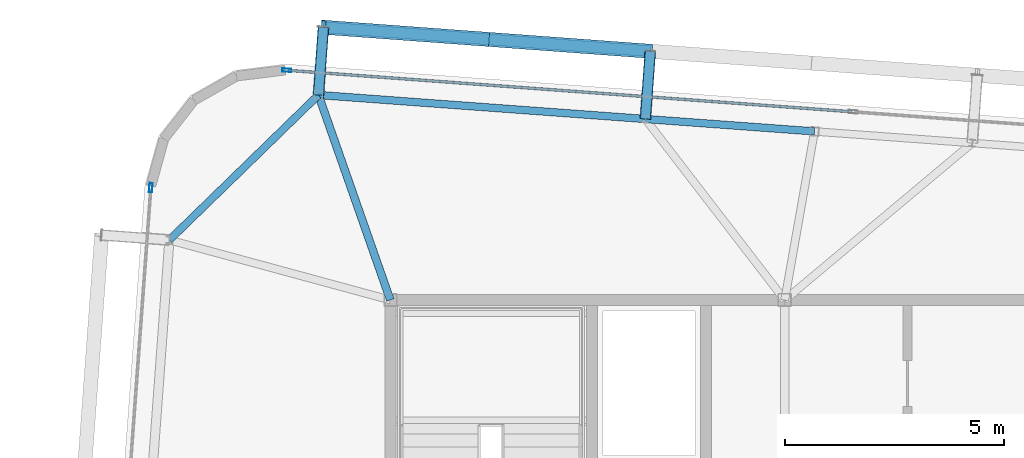
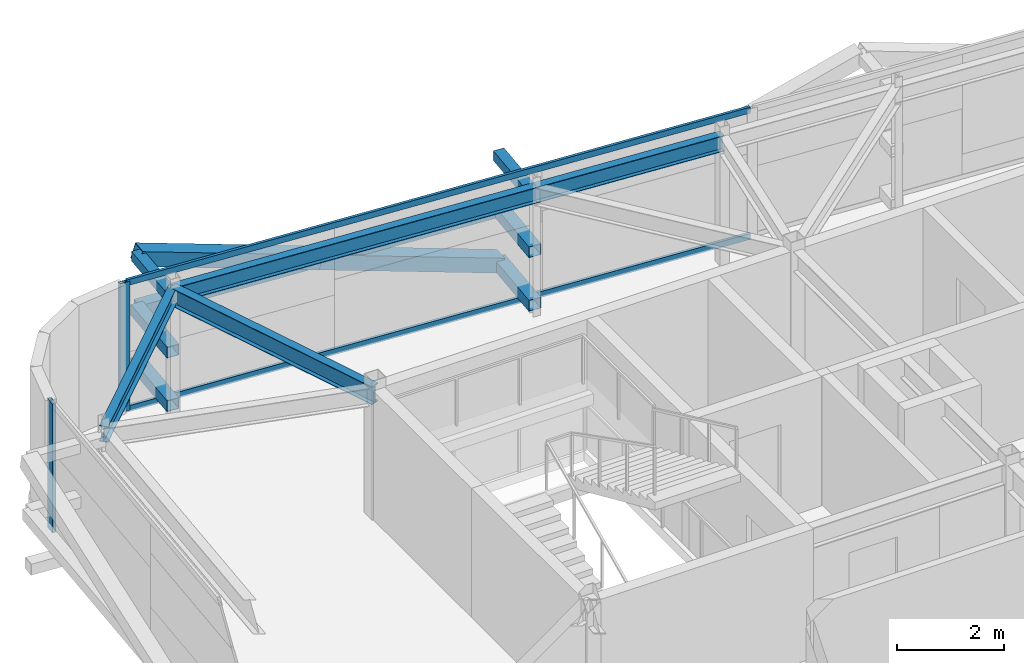
# One storey, part 20 of 34: 13 members, 4 beams, 2 elements without a shape of their own.
"""IFC4 building model written with IfcOpenShell, lengths in metres."""

from ifc_helpers import new_model, si_unit, direction, frame, origin, origin_2d, place, context, subcontext, project, spatial, hollow_rectangle, i_section, extrude, source, transform, mapped, material, layer, layer_set, material_profile, profile_set, type_object, element, aggregate, save


model = new_model("IFC4")

# Units and contexts
model_context = context("Model", 3, precision=1e-05, world=origin(), true_north=direction((0.0, 1.0)))
body_context = subcontext(model_context, "Body", "Model", "MODEL_VIEW")
ifc_project = project(units=[si_unit("LENGTHUNIT", "METRE"), si_unit("AREAUNIT", "SQUARE_METRE"), si_unit("VOLUMEUNIT", "CUBIC_METRE"), si_unit("PLANEANGLEUNIT", "RADIAN"), si_unit("MASSUNIT", "GRAM", prefix="KILO")], contexts=[model_context])

# Site, building, storey
site_placement = place(None, origin())
site = spatial("IfcSite", under=ifc_project, at=site_placement, CompositionType="ELEMENT")
building_placement = place(site_placement, origin())
building = spatial("IfcBuilding", under=site, at=building_placement, Name="Taldren Reach Tower", CompositionType="ELEMENT")
storey_placement = place(building_placement, frame((0.0, 0.0, 246.050048828125)))
storey = spatial("IfcBuildingStorey", under=building, at=storey_placement, Name="L75", CompositionType="ELEMENT", Elevation=246.050048828125)

# Members
ifc_material_1 = material(Name="Steel Gr 350 (C350L0)", Category="steel")
ifc_material_profile_1 = material_profile(ifc_material_1, hollow_rectangle(XDim=0.25, YDim=0.25, WallThickness=0.010009765625, at=origin_2d()), Name="250x250x10.0SHS")
ifc_profile_set_1 = profile_set([ifc_material_profile_1], Name="Steel Gr 350 (C350L0)")
member_type_1 = type_object("IfcMemberType", Name="MB-POST250", PredefinedType="POST", material=ifc_profile_set_1)
shared_shape_1 = source(origin(), body_context, "Body", "SweptSolid", [
    extrude(hollow_rectangle(XDim=0.25, YDim=0.25, WallThickness=0.010009765625, at=origin_2d()), origin(), (0.0, 0.0, 1.0), 1.5498046875),
])
for number, where, z_axis, x_axis, name in (
    (1, (17.35986328125, 36.678955078125, 0.219970703125), (0.073250797913, 0.997313551801, 0.0), (-0.997313551801, 0.073250797913, 0.0), "Exoskeleton base diaphragm tie strut B5-N1 L75"),
    (2, (17.35986328125, 36.678955078125, 1.43505859375), (0.073250797913, 0.997313551801, 0.0), (-0.997313551801, 0.073250797913, 0.0), "Exoskeleton mid-tier diaphragm tie B5-N1 L75"),
):
    element("IfcMember", number, at=place(storey_placement, frame(where, z_axis=z_axis, x_axis=x_axis)), inside=storey, type_object=member_type_1, Name=name, PredefinedType="POST", context=body_context, shape_type="MappedRepresentation", body=[
        mapped(shared_shape_1, transform((0.0, 0.0, 0.0), scale=1.0)),
    ])
shared_shape_2 = source(origin(), body_context, "Body", "SweptSolid", [
    extrude(hollow_rectangle(XDim=0.25, YDim=0.25, WallThickness=0.010009765625, at=origin_2d()), origin(), (0.0, 0.0, 1.0), 1.550048828125),
])
for number, where, z_axis, x_axis, name in (
    (3, (24.819580078125, 36.131103515625, 0.219970703125), (0.07323929162, 0.997314396849, 0.0), (-0.997314396849, 0.07323929162, 0.0), "Exoskeleton base diaphragm tie strut B5-N2 L75"),
    (4, (24.819580078125, 36.131103515625, 1.43505859375), (0.07323929162, 0.997314396849, 0.0), (-0.997314396849, 0.07323929162, 0.0), "Exoskeleton mid-tier diaphragm tie B5-N2 L75"),
):
    element("IfcMember", number, at=place(storey_placement, frame(where, z_axis=z_axis, x_axis=x_axis)), inside=storey, type_object=member_type_1, Name=name, PredefinedType="POST", context=body_context, shape_type="MappedRepresentation", body=[
        mapped(shared_shape_2, transform((0.0, 0.0, 0.0), scale=1.0)),
    ])
ifc_material_2 = material(Name="Steel Gr 450 (C450L0)", Category="steel")
ifc_material_profile_2 = material_profile(ifc_material_2, hollow_rectangle(XDim=0.219970703125, YDim=0.219970703125, WallThickness=0.00830078125, at=origin_2d()), Name="220x220x8.2SHS")
ifc_profile_set_2 = profile_set([ifc_material_profile_2], Name="Steel Gr 450 (C450L0)")
member_type_2 = type_object("IfcMemberType", Name="MB-TIE219", PredefinedType="STRUT", material=ifc_profile_set_2)
shared_shape_3 = source(origin(), body_context, "Body", "SweptSolid", [
    extrude(hollow_rectangle(XDim=0.219970703125, YDim=0.219970703125, WallThickness=0.00830078125, at=origin_2d()), origin(), (0.0, 0.0, 1.0), 1.5498046875),
])
member_1_placement = place(storey_placement, frame((17.35986328125, 36.678955078125, 2.64990234375), z_axis=(0.073250797913, 0.997313551801, 0.0), x_axis=(-0.997313551801, 0.073250797913, 0.0)))
element("IfcMember", 5, at=member_1_placement, inside=storey, type_object=member_type_2, Name="Exoskeleton diaphragm tie strut B5-N1 L75", PredefinedType="STRUT", context=body_context, shape_type="MappedRepresentation", body=[
    mapped(shared_shape_3, transform((0.0, 0.0, 0.0), scale=1.0)),
])
shared_shape_4 = source(origin(), body_context, "Body", "SweptSolid", [
    extrude(hollow_rectangle(XDim=0.219970703125, YDim=0.219970703125, WallThickness=0.00830078125, at=origin_2d()), origin(), (0.0, 0.0, 1.0), 1.550048828125),
])
member_2_placement = place(storey_placement, frame((24.819580078125, 36.131103515625, 2.64990234375), z_axis=(0.07323929162, 0.997314396849, 0.0), x_axis=(-0.997314396849, 0.07323929162, 0.0)))
element("IfcMember", 6, at=member_2_placement, inside=storey, type_object=member_type_2, Name="Exoskeleton diaphragm tie strut B5-N2 L75", PredefinedType="STRUT", context=body_context, shape_type="MappedRepresentation", body=[
    mapped(shared_shape_4, transform((0.0, 0.0, 0.0), scale=1.0)),
])

# Beams
ifc_material_3 = material(Name="Steel Gr 350 (350PLUS)", Category="steel")
ifc_material_profile_3 = material_profile(ifc_material_3, i_section(OverallWidth=0.172119140625, OverallDepth=0.35888671875, WebThickness=0.008056640625, FlangeThickness=0.012939453125, at=origin_2d()), Name="360UB56.7")
ifc_profile_set_3 = profile_set([ifc_material_profile_3], Name="Steel Gr 350 (350PLUS)")
beam_type_1 = type_object("IfcBeamType", Name="SP-UB360", PredefinedType="SPANDREL", material=ifc_profile_set_3)
shared_shape_5 = source(origin(), body_context, "Body", "SweptSolid", [
    extrude(i_section(OverallWidth=0.172119140625, OverallDepth=0.35888671875, WebThickness=0.008056640625, FlangeThickness=0.012939453125, at=origin_2d()), origin(), (0.0, 0.0, 1.0), 7.479736328125),
])
beam_1_placement = place(storey_placement, frame((24.819580078125, 36.131103515625, 2.75048828125), z_axis=(-0.997314045547, 0.073244075215, 0.0), x_axis=(-0.073244075215, -0.997314045547, 0.0)))
element("IfcBeam", 7, at=beam_1_placement, inside=storey, type_object=beam_type_1, Name="Perimeter spandrel B5 N2-N1 L75", PredefinedType="SPANDREL", context=body_context, shape_type="MappedRepresentation", body=[
    mapped(shared_shape_5, transform((0.0, 0.0, 0.0), scale=1.0)),
])
shared_shape_6 = source(origin(), body_context, "Body", "SweptSolid", [
    extrude(i_section(OverallWidth=0.172119140625, OverallDepth=0.35888671875, WebThickness=0.008056640625, FlangeThickness=0.012939453125, at=origin_2d()), origin(), (0.0, 0.0, 1.0), 4.74609375),
])
beam_2_placement = place(storey_placement, frame((17.35986328125, 36.678955078125, 2.75048828125), z_axis=(-0.716711338436, -0.697369957309, 0.0), x_axis=(0.697369957309, -0.716711338436, 0.0)))
element("IfcBeam", 8, at=beam_2_placement, inside=storey, type_object=beam_type_1, Name="Perimeter spandrel B5 N1-W3 L75", PredefinedType="SPANDREL", context=body_context, shape_type="MappedRepresentation", body=[
    mapped(shared_shape_6, transform((0.0, 0.0, 0.0), scale=1.0)),
])
shared_shape_7 = source(origin(), body_context, "Body", "SweptSolid", [
    extrude(i_section(OverallWidth=0.172119140625, OverallDepth=0.35888671875, WebThickness=0.008056640625, FlangeThickness=0.012939453125, at=origin_2d()), origin(), (0.0, 0.0, 1.0), 3.8701171875),
])
beam_3_placement = place(storey_placement, frame((28.67919921875, 35.84765625, 2.75048828125), z_axis=(-0.997314202545, 0.073241937451, 0.0), x_axis=(-0.073241937451, -0.997314202545, 0.0)))
element("IfcBeam", 9, at=beam_3_placement, inside=storey, type_object=beam_type_1, Name="Perimeter spandrel B5 PJN1-N2 L75", PredefinedType="SPANDREL", context=body_context, shape_type="MappedRepresentation", body=[
    mapped(shared_shape_7, transform((0.0, 0.0, 0.0), scale=1.0)),
])
ifc_material_profile_4 = material_profile(ifc_material_3, i_section(OverallWidth=0.177978515625, OverallDepth=0.406005859375, WebThickness=0.0078125, FlangeThickness=0.0126953125, at=origin_2d()), Name="410UB59.7")
ifc_profile_set_4 = profile_set([ifc_material_profile_4], Name="Steel Gr 350 (350PLUS)")
beam_type_2 = type_object("IfcBeamType", Name="BM-UB410", PredefinedType="BEAM", material=ifc_profile_set_4)
shared_shape_8 = source(origin(), body_context, "Body", "SweptSolid", [
    extrude(i_section(OverallWidth=0.177978515625, OverallDepth=0.406005859375, WebThickness=0.0078125, FlangeThickness=0.0126953125, at=origin_2d()), origin(), (0.0, 0.0, 1.0), 4.9580078125),
])
beam_4_placement = place(storey_placement, frame((19.0, 32.0, 2.72705078125), z_axis=(-0.330800025288, 0.943700875951, 0.0), x_axis=(-0.943700875951, -0.330800025288, 0.0)))
element("IfcBeam", 10, at=beam_4_placement, inside=storey, type_object=beam_type_2, Name="Primary floor girder B5-N1 L75", PredefinedType="BEAM", context=body_context, shape_type="MappedRepresentation", body=[
    mapped(shared_shape_8, transform((0.0, 0.0, 0.0), scale=1.0)),
])

# Members
ifc_material_profile_5 = material_profile(ifc_material_2, hollow_rectangle(XDim=0.324951171875, YDim=0.324951171875, WallThickness=0.0126953125, at=origin_2d()), Name="325x325x12.7SHS")
ifc_profile_set_5 = profile_set([ifc_material_profile_5], Name="Steel Gr 450 (C450L0)")
member_type_3 = type_object("IfcMemberType", Name="MB-BR324", PredefinedType="BRACE", material=ifc_profile_set_5)
shared_shape_9 = source(origin(), body_context, "Body", "SweptSolid", [
    extrude(hollow_rectangle(XDim=0.324951171875, YDim=0.324951171875, WallThickness=0.0126953125, at=origin_2d()), origin(), (0.0, 0.0, 1.0), 3.932373046875),
])
member_3_placement = place(storey_placement, frame((21.203369140625, 37.95068359375, 1.43505859375), z_axis=(-0.948529326954, 0.06965898055, 0.308933232813), x_axis=(-0.07324169103, -0.997314220642, 0.0)))
element("IfcMember", 11, at=member_3_placement, inside=storey, type_object=member_type_3, Name="Exoskeleton Diagrid Brace B5-N1 L75", PredefinedType="BRACE", context=body_context, shape_type="MappedRepresentation", body=[
    mapped(shared_shape_9, transform((0.0, 0.0, 0.0), scale=1.0)),
])
shared_shape_10 = source(origin(), body_context, "Body", "SweptSolid", [
    extrude(hollow_rectangle(XDim=0.324951171875, YDim=0.324951171875, WallThickness=0.0126953125, at=origin_2d()), origin(), (0.0, 0.0, 1.0), 3.93212890625),
])
member_4_placement = place(storey_placement, frame((24.93310546875, 37.677001953125, 0.219970703125), z_axis=(-0.948509004245, 0.069599960317, 0.309008922833), x_axis=(-0.073181527281, -0.997318637179, 0.0)))
element("IfcMember", 12, at=member_4_placement, inside=storey, type_object=member_type_3, Name="Exoskeleton Diagrid Brace B5-N1 L75", PredefinedType="BRACE", context=body_context, shape_type="MappedRepresentation", body=[
    mapped(shared_shape_10, transform((0.0, 0.0, 0.0), scale=1.0)),
])
shared_shape_11 = source(origin(), body_context, "Body", "SweptSolid", [
    extrude(hollow_rectangle(XDim=0.25, YDim=0.25, WallThickness=0.010009765625, at=origin_2d()), origin(), (0.0, 0.0, 1.0), 7.479736328125),
])
member_5_placement = place(storey_placement, frame((17.473388671875, 38.224609375, 1.43505859375), z_axis=(0.997316429287, -0.07321161024, 0.0), x_axis=(0.07321161024, 0.997316429287, 0.0)))
element("IfcMember", 13, at=member_5_placement, inside=storey, type_object=member_type_1, Name="Exoskeleton mid-height ring chord B5-N1 L75", PredefinedType="POST", context=body_context, shape_type="MappedRepresentation", body=[
    mapped(shared_shape_11, transform((0.0, 0.0, 0.0), scale=1.0)),
])

# Curtain wall, members
ifc_material_4 = material(Name="Aluminium and Low-E Glass Unitised System", Category="aluminium")
ifc_layer = layer(ifc_material_4, 0.159912109375)
ifc_layer_set = layer_set([ifc_layer], Name="Aluminium and Low-E Glass Unitised System")
curtain_wall_type = type_object("IfcCurtainWallType", Name="CW-SYS-6", PredefinedType="NOTDEFINED", material=ifc_layer_set)
curtain_wall_1_placement = place(storey_placement, origin())
curtain_wall_1 = element("IfcCurtainWall", 14, at=curtain_wall_1_placement, inside=storey, type_object=curtain_wall_type, Name="Unitised curtain wall CW-L75-N", PredefinedType="NOTDEFINED")
ifc_material_5 = material(Name="Anodised Aluminium 6063-T6", Category="aluminium")
ifc_material_profile_6 = material_profile(ifc_material_5, hollow_rectangle(XDim=0.06005859375, YDim=0.135009765625, WallThickness=0.00341796875, at=origin_2d()), Name="ALU-135x60x3.5RHS")
ifc_profile_set_6 = profile_set([ifc_material_profile_6], Name="Anodised Aluminium 6063-T6")
member_type_4 = type_object("IfcMemberType", Name="CW-TRN-150", PredefinedType="USERDEFINED", material=ifc_profile_set_6)
shared_shape_12 = source(origin(), body_context, "Body", "SweptSolid", [
    extrude(hollow_rectangle(XDim=0.06005859375, YDim=0.135009765625, WallThickness=0.00341796875, at=origin_2d()), origin(), (0.0, 0.0, 1.0), 12.887451171875),
])
member_6_placement = place(storey_placement, frame((29.52685546875, 36.296630859375, 0.030029296875), z_axis=(-0.997314487101, 0.07323806263, 0.0), x_axis=(-0.07323806263, -0.997314487101, 0.0)))
member_6 = element("IfcMember", 15, at=member_6_placement, type_object=member_type_4, Name="CW-6 transom 3.1", ObjectType="TRANSOM", PredefinedType="USERDEFINED", context=body_context, shape_type="MappedRepresentation", body=[
    mapped(shared_shape_12, transform((0.0, 0.0, 0.0), scale=1.0)),
])
member_7_placement = place(storey_placement, frame((29.52685546875, 36.296630859375, 2.89990234375), z_axis=(-0.997314487101, 0.07323806263, 0.0), x_axis=(-0.07323806263, -0.997314487101, 0.0)))
member_7 = element("IfcMember", 16, at=member_7_placement, type_object=member_type_4, Name="CW-6 transom 3.2", ObjectType="TRANSOM", PredefinedType="USERDEFINED", context=body_context, shape_type="MappedRepresentation", body=[
    mapped(shared_shape_12, transform((0.0, 0.0, 0.0), scale=1.0)),
])
ifc_material_profile_7 = material_profile(ifc_material_5, hollow_rectangle(XDim=0.074951171875, YDim=0.2099609375, WallThickness=0.00439453125, at=origin_2d()), Name="ALU-210x75x4.5RHS")
ifc_profile_set_7 = profile_set([ifc_material_profile_7], Name="Anodised Aluminium 6063-T6")
member_type_5 = type_object("IfcMemberType", Name="CW-MUL-200", PredefinedType="MULLION", material=ifc_profile_set_7)
shared_shape_13 = source(origin(), body_context, "Body", "SweptSolid", [
    extrude(hollow_rectangle(XDim=0.074951171875, YDim=0.2099609375, WallThickness=0.00439453125, at=origin_2d()), origin(), (0.0, 0.0, 1.0), 2.929931640625),
])
member_8_placement = place(storey_placement, frame((16.63671875, 37.243408203125, 0.0), z_axis=(0.0, 0.0, 1.0), x_axis=(-0.073238213716, -0.997314476006, 0.0)))
member_8 = element("IfcMember", 17, at=member_8_placement, type_object=member_type_5, Name="CW-6 mullion 4", PredefinedType="MULLION", context=body_context, shape_type="MappedRepresentation", body=[
    mapped(shared_shape_13, transform((0.0, 0.0, 0.0), scale=1.0)),
])
aggregate(curtain_wall_1, [member_8, member_6, member_7])

# Curtain wall, member
curtain_wall_2_placement = place(storey_placement, origin())
curtain_wall_2 = element("IfcCurtainWall", 18, at=curtain_wall_2_placement, inside=storey, type_object=curtain_wall_type, Name="Unitised curtain wall CW-L75-W", PredefinedType="NOTDEFINED")
member_9_placement = place(storey_placement, frame((13.53466796875, 34.56591796875, 0.0), z_axis=(0.0, 0.0, 1.0), x_axis=(0.997314470951, -0.073238282558, 0.0)))
member_9 = element("IfcMember", 19, at=member_9_placement, type_object=member_type_5, Name="CW-6 mullion 1", PredefinedType="MULLION", context=body_context, shape_type="MappedRepresentation", body=[
    mapped(shared_shape_13, transform((0.0, 0.0, 0.0), scale=1.0)),
])
aggregate(curtain_wall_2, [member_9])

save(model, "model.ifc")
